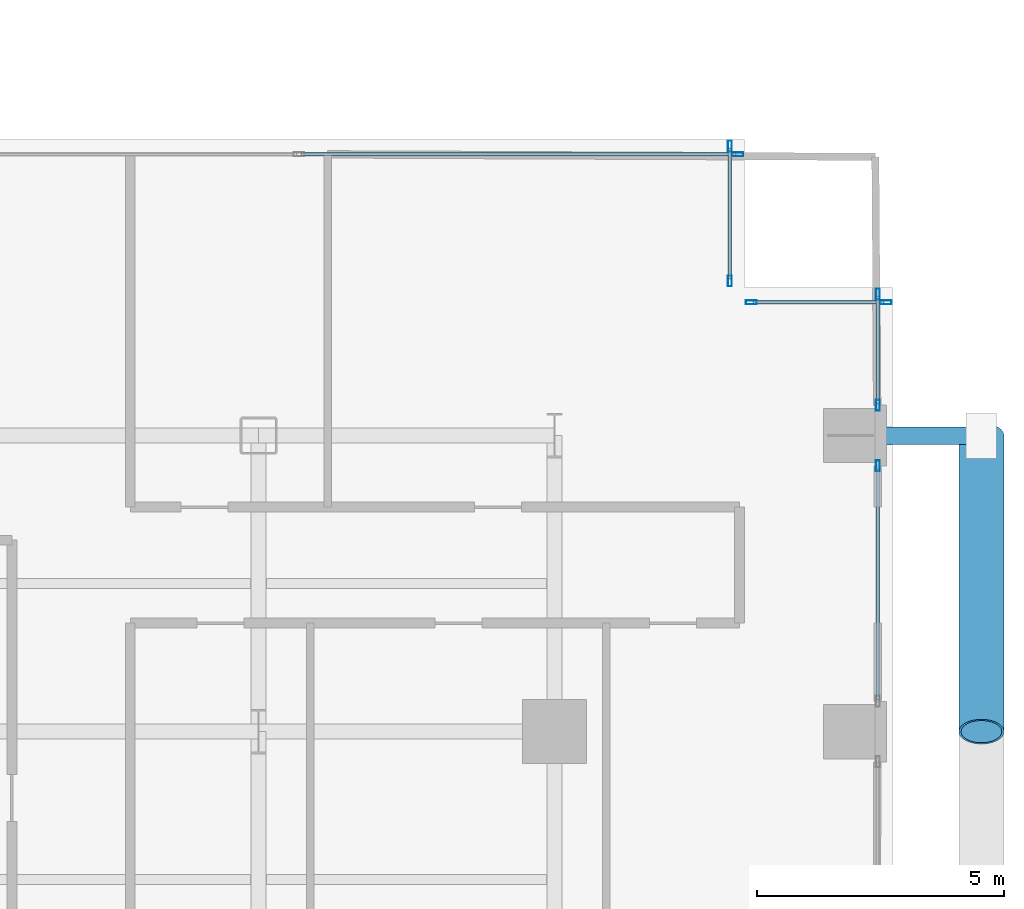
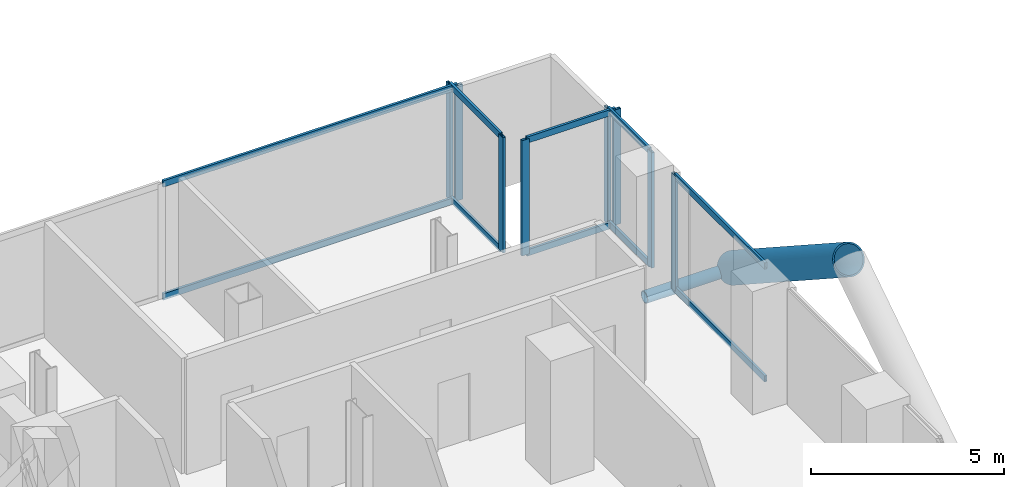
# One storey, part 12 of 27: 20 members, 5 elements without a shape of their own.
"""IFC4 building model written with IfcOpenShell, lengths in metres."""

import ifcopenshell
import ifcopenshell.guid

model = None  # the IFC model being written
_history = None  # IfcOwnerHistory: only IFC2X3 demands one
_inside = {}  # id of a spatial element -> (the spatial element, [elements in it])
_under = {}  # id of a project, library or spatial element -> (it, [spatial elements below it])
_declared = {}  # id of a project -> (the project, [libraries it declares])
_typed = {}  # id of a type object -> (the type object, [elements of that type])
_made_of = {}  # id of a material, layer set ... -> (it, [elements and type objects made of it])


def new_model(schema):
    """Start an empty IFC model of exactly this schema.

    Asked for "IFC4X3", IfcOpenShell would pick the latest addendum, in which some entities
    have other attributes; the version numbers below select the first issue.
    IFC2X3 requires an IfcOwnerHistory on every rooted entity: one is made here for all.
    """
    global model, _history
    if schema == "IFC4X3":
        model = ifcopenshell.file(schema_version=(4, 3, 0, 0))
    else:
        model = ifcopenshell.file(schema=schema)
    _inside.clear()
    _under.clear()
    _declared.clear()
    _typed.clear()
    _made_of.clear()
    _history = None
    if model.schema == "IFC2X3":
        org = make("IfcOrganization", Name="unknown")
        user = make(
            "IfcPersonAndOrganization",
            ThePerson=make("IfcPerson", FamilyName="unknown"),
            TheOrganization=org,
        )
        app = make(
            "IfcApplication",
            ApplicationDeveloper=org,
            Version="unknown",
            ApplicationFullName="unknown",
            ApplicationIdentifier="unknown",
        )
        _history = make(
            "IfcOwnerHistory",
            OwningUser=user,
            OwningApplication=app,
            ChangeAction="ADDED",
            CreationDate=0,
        )
    return model


def make(cls, **values):
    """One entity of the class cls with the attributes given. An attribute that is None is left unset."""
    return model.create_entity(
        cls, **{name: value for name, value in values.items() if value is not None}
    )


def rooted(cls, **values):
    """An entity with a GlobalId (a new one), such as an element, a storey or a relation."""
    return make(cls, GlobalId=ifcopenshell.guid.new(), OwnerHistory=_history, **values)


def si_unit(unit_type, name, prefix=None):
    """IfcSIUnit, for example si_unit("LENGTHUNIT", "METRE", prefix="MILLI")."""
    return make("IfcSIUnit", UnitType=unit_type, Prefix=prefix, Name=name)


def assignment(units):
    """IfcUnitAssignment: the units of a project."""
    return None if units is None else make("IfcUnitAssignment", Units=units)


def point(xyz):
    """IfcCartesianPoint."""
    return None if xyz is None else make("IfcCartesianPoint", Coordinates=xyz)


def direction(xyz):
    """IfcDirection."""
    return None if xyz is None else make("IfcDirection", DirectionRatios=xyz)


def frame(location, z_axis=None, x_axis=None):
    """IfcAxis2Placement3D, a coordinate frame: its origin and axes. An axis left out is left unset."""
    return make(
        "IfcAxis2Placement3D",
        Location=point(location),
        Axis=direction(z_axis),
        RefDirection=direction(x_axis),
    )


def frame_2d(location, x_axis=None):
    """IfcAxis2Placement2D, a coordinate frame in the plane: its origin and x axis."""
    return make(
        "IfcAxis2Placement2D", Location=point(location), RefDirection=direction(x_axis)
    )


def origin():
    """The frame at (0, 0, 0) with its axes left unset."""
    return frame((0.0, 0.0, 0.0))


def origin_2d():
    """The frame at (0, 0) in the plane with its x axis left unset."""
    return frame_2d((0.0, 0.0))


def place(relative_to, where):
    """IfcLocalPlacement: puts the frame where relative to a parent placement (None: the world)."""
    return make(
        "IfcLocalPlacement", PlacementRelTo=relative_to, RelativePlacement=where
    )


def context(
    kind, dimensions, precision=None, world=None, true_north=None, identifier=None
):
    """IfcGeometricRepresentationContext, for example the 3D "Model" context."""
    return make(
        "IfcGeometricRepresentationContext",
        ContextIdentifier=identifier,
        ContextType=kind,
        CoordinateSpaceDimension=dimensions,
        Precision=precision,
        WorldCoordinateSystem=world,
        TrueNorth=true_north,
    )


def subcontext(parent, identifier, kind, view, scale=None):
    """IfcGeometricRepresentationSubContext, for example "Body" below "Model"."""
    return make(
        "IfcGeometricRepresentationSubContext",
        ContextIdentifier=identifier,
        ContextType=kind,
        ParentContext=parent,
        TargetScale=scale,
        TargetView=view,
    )


def project(units=None, contexts=None):
    """IfcProject with its units and contexts."""
    return rooted(
        "IfcProject",
        Name="project",
        RepresentationContexts=contexts,
        UnitsInContext=assignment(units),
    )


def spatial(cls, under=None, at=None, **own):
    """A site, building, storey or space (cls), placed at a placement, below another one or the project."""
    s = rooted(cls, ObjectPlacement=at, **own)
    if under is not None:
        _under.setdefault(under.id(), (under, []))[1].append(s)
    return s


def profile(cls, at=None, kind="AREA", **sizes):
    """A parametric profile (cls). Its sizes go by their IFC names, for example OverallWidth=200.0."""
    return make(cls, ProfileType=kind, Position=at, **sizes)


def hollow_rectangle(**sizes):
    """IfcRectangleHollowProfileDef."""
    return profile("IfcRectangleHollowProfileDef", **sizes)


def hollow_circle(**sizes):
    """IfcCircleHollowProfileDef."""
    return profile("IfcCircleHollowProfileDef", **sizes)


def extrude(swept, where, along, depth):
    """IfcExtrudedAreaSolid: the profile swept, set in the frame where, extruded along a direction by depth."""
    return make(
        "IfcExtrudedAreaSolid",
        SweptArea=swept,
        Position=where,
        ExtrudedDirection=direction(along),
        Depth=depth,
    )


def shape(context_of_items, identifier, shape_type, items):
    """IfcShapeRepresentation: the items that make up one representation, for example the "Body"."""
    return make(
        "IfcShapeRepresentation",
        ContextOfItems=context_of_items,
        RepresentationIdentifier=identifier,
        RepresentationType=shape_type,
        Items=items,
    )


def material(Name=None, Category=None):
    """IfcMaterial."""
    return make("IfcMaterial", Name=Name, Category=Category)


def layer(
    of_material, thickness, ventilated=None, Name=None, Category=None, Priority=None
):
    """IfcMaterialLayer: one layer of a wall or slab, of a material (None: an air gap)."""
    return make(
        "IfcMaterialLayer",
        Material=of_material,
        LayerThickness=thickness,
        IsVentilated=ventilated,
        Name=Name,
        Category=Category,
        Priority=Priority,
    )


def layer_set(layers, Name=None):
    """IfcMaterialLayerSet."""
    return make("IfcMaterialLayerSet", MaterialLayers=layers, LayerSetName=Name)


def material_profile(
    of_material, cross_section, Name=None, Category=None, Priority=None
):
    """IfcMaterialProfile: a cross section and its material."""
    return make(
        "IfcMaterialProfile",
        Name=Name,
        Material=of_material,
        Profile=cross_section,
        Priority=Priority,
        Category=Category,
    )


def profile_set(profiles, Name=None, composite=None):
    """IfcMaterialProfileSet."""
    return make(
        "IfcMaterialProfileSet",
        Name=Name,
        MaterialProfiles=profiles,
        CompositeProfile=composite,
    )


def made_of(thing, what):
    """Note that an element or type object is made of a material, layer set ...; save() writes the relation."""
    if what is not None:
        _made_of.setdefault(what.id(), (what, []))[1].append(thing)
    return thing


def type_object(cls, material=None, **own):
    """A type object (cls), such as IfcWallType, which elements share."""
    return made_of(rooted(cls, **own), material)


def element(
    cls,
    number,
    at=None,
    inside=None,
    cuts=None,
    type_object=None,
    material=None,
    context=None,
    identifier="Body",
    shape_type=None,
    held_by="IfcProductDefinitionShape",
    body=None,
    shapes=None,
    **own,
):
    """One element of the class cls, such as IfcWall. Its Tag is "e" and its number.

    at: its placement. inside: the storey or other place that contains it. cuts: it is an
    opening in that element (IfcRelVoidsElement). A single representation is given by context,
    identifier, shape_type and body (its items); several are given by shapes. held_by: the class
    of the entity that holds the representations. save() writes the other relations.
    """
    e = rooted(cls, Tag="e%d" % number, ObjectPlacement=at, **own)
    if body is not None:
        shapes = [shape(context, identifier, shape_type, body)]
    if shapes is not None:
        e.Representation = make(held_by, Representations=shapes)
    if inside is not None:
        _inside.setdefault(inside.id(), (inside, []))[1].append(e)
    if cuts is not None:
        rooted(
            "IfcRelVoidsElement", RelatingBuildingElement=cuts, RelatedOpeningElement=e
        )
    if type_object is not None:
        _typed.setdefault(type_object.id(), (type_object, []))[1].append(e)
    return made_of(e, material)


def aggregate(whole, parts):
    """IfcRelAggregates: a whole, such as a stair, and the parts it consists of."""
    return rooted("IfcRelAggregates", RelatingObject=whole, RelatedObjects=parts)


def save(model, path):
    """Write the relations noted so far, then the file.

    IfcRelAggregates (storeys below a building ...), IfcRelContainedInSpatialStructure (elements
    in a storey), IfcRelDefinesByType, IfcRelAssociatesMaterial and IfcRelDeclares: one each for
    every whole, place, type object, material and project.
    """
    for whole, parts in _under.values():
        aggregate(whole, parts)
    for where, things in _inside.values():
        rooted(
            "IfcRelContainedInSpatialStructure",
            RelatedElements=things,
            RelatingStructure=where,
        )
    for kind, things in _typed.values():
        rooted("IfcRelDefinesByType", RelatedObjects=things, RelatingType=kind)
    for what, things in _made_of.values():
        rooted("IfcRelAssociatesMaterial", RelatedObjects=things, RelatingMaterial=what)
    for by, libraries in _declared.values():
        rooted("IfcRelDeclares", RelatingContext=by, RelatedDefinitions=libraries)
    model.write(path)


model = new_model("IFC4")

# Units and contexts
model_context = context("Model", 3, precision=1e-05, world=origin(), true_north=direction((0.0, 1.0)))
body_context = subcontext(model_context, "Body", "Model", "MODEL_VIEW")
ifc_project = project(units=[si_unit("LENGTHUNIT", "METRE"), si_unit("AREAUNIT", "SQUARE_METRE"), si_unit("VOLUMEUNIT", "CUBIC_METRE"), si_unit("PLANEANGLEUNIT", "RADIAN"), si_unit("MASSUNIT", "GRAM", prefix="KILO"), si_unit("THERMODYNAMICTEMPERATUREUNIT", "KELVIN"), si_unit("POWERUNIT", "WATT")], contexts=[model_context])

# Site, building, storey
site_placement = place(None, origin())
site = spatial("IfcSite", under=ifc_project, at=site_placement, CompositionType="ELEMENT")
building_placement = place(site_placement, origin())
building = spatial("IfcBuilding", under=site, at=building_placement, Name="Svarakhadi Broadcast Tower", CompositionType="ELEMENT")
storey_placement = place(building_placement, frame((0.0, 0.0, 55.800048828125)))
storey = spatial("IfcBuildingStorey", under=building, at=storey_placement, Name="L12", CompositionType="ELEMENT", Elevation=55.800048828125)

# Curtain wall, member
ifc_material_1 = material(Name="Anodised Bronze Aluminium AA 6063-T6", Category="aluminium")
ifc_layer = layer(ifc_material_1, 0.219970703125)
ifc_layer_set = layer_set([ifc_layer], Name="Anodised Bronze Aluminium AA 6063-T6")
curtain_wall_type = type_object("IfcCurtainWallType", Name="CW_Sys_02", PredefinedType="NOTDEFINED", material=ifc_layer_set)
curtain_wall_1_placement = place(storey_placement, origin())
curtain_wall_1 = element("IfcCurtainWall", 1, at=curtain_wall_1_placement, inside=storey, type_object=curtain_wall_type, Name="L12 Unitised Facade Curtain Wall 10", PredefinedType="NOTDEFINED")
ifc_material_profile_1 = material_profile(ifc_material_1, hollow_rectangle(XDim=0.0849609375, YDim=0.219970703125, WallThickness=0.006103515625, at=origin_2d()), Name="ALU MULLION 220x85x6")
ifc_profile_set_1 = profile_set([ifc_material_profile_1], Name="Anodised Bronze Aluminium AA 6063-T6")
member_type_1 = type_object("IfcMemberType", Name="CW_Sys_02_Mul", PredefinedType="MULLION", material=ifc_profile_set_1)
member_1_placement = place(storey_placement, frame((50.867431640625, 23.699951171875, 0.0), z_axis=(0.0, 0.0, 1.0), x_axis=(0.0, 1.0, 0.0)))
member_1 = element("IfcMember", 2, at=member_1_placement, type_object=member_type_1, Name="CW-02 mullion 4", PredefinedType="MULLION", context=body_context, shape_type="SweptSolid", body=[
    extrude(hollow_rectangle(XDim=0.0849609375, YDim=0.219970703125, WallThickness=0.006103515625, at=origin_2d()), origin(), (0.0, 0.0, 1.0), 3.64990234375),
])

# Curtain wall, members
curtain_wall_2_placement = place(storey_placement, origin())
curtain_wall_2 = element("IfcCurtainWall", 3, at=curtain_wall_2_placement, inside=storey, type_object=curtain_wall_type, Name="L12 Unitised Facade Curtain Wall 11", PredefinedType="NOTDEFINED")
member_2_placement = place(storey_placement, frame((50.699951171875, 23.867431640625, 0.0), z_axis=(0.0, 0.0, 1.0), x_axis=(1.0, 0.0, 0.0)))
member_2 = element("IfcMember", 4, at=member_2_placement, type_object=member_type_1, Name="CW-02 mullion 1", PredefinedType="MULLION", context=body_context, shape_type="SweptSolid", body=[
    extrude(hollow_rectangle(XDim=0.0849609375, YDim=0.219970703125, WallThickness=0.006103515625, at=origin_2d()), origin(), (0.0, 0.0, 1.0), 3.64990234375),
])
member_3_placement = place(storey_placement, frame((50.699951171875, 21.132568359375, 0.0), z_axis=(0.0, 0.0, 1.0), x_axis=(1.0, 0.0, 0.0)))
member_3 = element("IfcMember", 5, at=member_3_placement, type_object=member_type_1, Name="CW-02 mullion 2", PredefinedType="MULLION", context=body_context, shape_type="SweptSolid", body=[
    extrude(hollow_rectangle(XDim=0.0849609375, YDim=0.219970703125, WallThickness=0.006103515625, at=origin_2d()), origin(), (0.0, 0.0, 1.0), 3.64990234375),
])

curtain_wall_3_placement = place(storey_placement, origin())
curtain_wall_3 = element("IfcCurtainWall", 6, at=curtain_wall_3_placement, inside=storey, type_object=curtain_wall_type, Name="L12 Unitised Facade Curtain Wall 12", PredefinedType="NOTDEFINED")
member_4_placement = place(storey_placement, frame((51.132568359375, 20.699951171875, 0.0), z_axis=(0.0, 0.0, 1.0), x_axis=(0.0, 1.0, 0.0)))
member_4 = element("IfcMember", 7, at=member_4_placement, type_object=member_type_1, Name="CW-02 mullion 1", PredefinedType="MULLION", context=body_context, shape_type="SweptSolid", body=[
    extrude(hollow_rectangle(XDim=0.0849609375, YDim=0.219970703125, WallThickness=0.006103515625, at=origin_2d()), origin(), (0.0, 0.0, 1.0), 3.64990234375),
])
member_5_placement = place(storey_placement, frame((53.867431640625, 20.699951171875, 0.0), z_axis=(0.0, 0.0, 1.0), x_axis=(0.0, 1.0, 0.0)))
member_5 = element("IfcMember", 8, at=member_5_placement, type_object=member_type_1, Name="CW-02 mullion 2", PredefinedType="MULLION", context=body_context, shape_type="SweptSolid", body=[
    extrude(hollow_rectangle(XDim=0.0849609375, YDim=0.219970703125, WallThickness=0.006103515625, at=origin_2d()), origin(), (0.0, 0.0, 1.0), 3.64990234375),
])

curtain_wall_4_placement = place(storey_placement, origin())
curtain_wall_4 = element("IfcCurtainWall", 9, at=curtain_wall_4_placement, inside=storey, type_object=curtain_wall_type, Name="L12 Unitised Facade Curtain Wall 13 Bay 1", PredefinedType="NOTDEFINED")
member_6_placement = place(storey_placement, frame((53.699951171875, 20.867431640625, 0.0), z_axis=(0.0, 0.0, 1.0), x_axis=(1.0, 0.0, 0.0)))
member_6 = element("IfcMember", 10, at=member_6_placement, type_object=member_type_1, Name="CW-02 mullion 1", PredefinedType="MULLION", context=body_context, shape_type="SweptSolid", body=[
    extrude(hollow_rectangle(XDim=0.0849609375, YDim=0.219970703125, WallThickness=0.006103515625, at=origin_2d()), origin(), (0.0, 0.0, 1.0), 3.64990234375),
])
member_7_placement = place(storey_placement, frame((53.699951171875, 18.612548828125, 0.0), z_axis=(0.0, 0.0, 1.0), x_axis=(1.0, 0.0, 0.0)))
member_7 = element("IfcMember", 11, at=member_7_placement, type_object=member_type_1, Name="CW-02 mullion 2", PredefinedType="MULLION", context=body_context, shape_type="SweptSolid", body=[
    extrude(hollow_rectangle(XDim=0.0849609375, YDim=0.219970703125, WallThickness=0.006103515625, at=origin_2d()), origin(), (0.0, 0.0, 1.0), 3.64990234375),
])

# Curtain wall, member
curtain_wall_5_placement = place(storey_placement, origin())
curtain_wall_5 = element("IfcCurtainWall", 12, at=curtain_wall_5_placement, inside=storey, type_object=curtain_wall_type, Name="L12 Unitised Facade Curtain Wall 13 Bay 2", PredefinedType="NOTDEFINED")
member_8_placement = place(storey_placement, frame((53.699951171875, 17.387451171875, 0.0), z_axis=(0.0, 0.0, 1.0), x_axis=(1.0, 0.0, 0.0)))
member_8 = element("IfcMember", 13, at=member_8_placement, type_object=member_type_1, Name="CW-02 mullion 1", PredefinedType="MULLION", context=body_context, shape_type="SweptSolid", body=[
    extrude(hollow_rectangle(XDim=0.0849609375, YDim=0.219970703125, WallThickness=0.006103515625, at=origin_2d()), origin(), (0.0, 0.0, 1.0), 3.64990234375),
])

# Member
ifc_material_profile_2 = material_profile(ifc_material_1, hollow_rectangle(XDim=0.074951171875, YDim=0.199951171875, WallThickness=0.0048828125, at=origin_2d()), Name="ALU TRANSOM 200x75x5")
ifc_profile_set_2 = profile_set([ifc_material_profile_2], Name="Anodised Bronze Aluminium AA 6063-T6")
member_type_2 = type_object("IfcMemberType", Name="CW_Sys_02_Trn", PredefinedType="USERDEFINED", material=ifc_profile_set_2)
member_9_placement = place(storey_placement, frame((42.012451171875, 23.699951171875, 0.037353515625), z_axis=(1.0, 0.0, 0.0), x_axis=(0.0, 1.0, 0.0)))
member_9 = element("IfcMember", 14, at=member_9_placement, type_object=member_type_2, Name="CW-02 transom 3.1", ObjectType="TRANSOM", PredefinedType="USERDEFINED", context=body_context, shape_type="SweptSolid", body=[
    extrude(hollow_rectangle(XDim=0.074951171875, YDim=0.199951171875, WallThickness=0.0048828125, at=origin_2d()), origin(), (0.0, 0.0, 1.0), 8.8125),
])

member_10_placement = place(storey_placement, frame((42.012451171875, 23.699951171875, 3.612548828125), z_axis=(1.0, 0.0, 0.0), x_axis=(0.0, 1.0, 0.0)))
member_10 = element("IfcMember", 15, at=member_10_placement, type_object=member_type_2, Name="CW-02 transom 3.2", ObjectType="TRANSOM", PredefinedType="USERDEFINED", context=body_context, shape_type="SweptSolid", body=[
    extrude(hollow_rectangle(XDim=0.074951171875, YDim=0.199951171875, WallThickness=0.0048828125, at=origin_2d()), origin(), (0.0, 0.0, 1.0), 8.8125),
])

aggregate(curtain_wall_1, [member_1, member_9, member_10])

member_11_placement = place(storey_placement, frame((50.699951171875, 23.824951171875, 0.037353515625), z_axis=(0.0, -1.0, 0.0), x_axis=(1.0, 0.0, 0.0)))
member_11 = element("IfcMember", 16, at=member_11_placement, type_object=member_type_2, Name="CW-02 transom 1.1", ObjectType="TRANSOM", PredefinedType="USERDEFINED", context=body_context, shape_type="SweptSolid", body=[
    extrude(hollow_rectangle(XDim=0.074951171875, YDim=0.199951171875, WallThickness=0.0048828125, at=origin_2d()), origin(), (0.0, 0.0, 1.0), 2.64990234375),
])

member_12_placement = place(storey_placement, frame((50.699951171875, 23.824951171875, 3.612548828125), z_axis=(0.0, -1.0, 0.0), x_axis=(1.0, 0.0, 0.0)))
member_12 = element("IfcMember", 17, at=member_12_placement, type_object=member_type_2, Name="CW-02 transom 1.2", ObjectType="TRANSOM", PredefinedType="USERDEFINED", context=body_context, shape_type="SweptSolid", body=[
    extrude(hollow_rectangle(XDim=0.074951171875, YDim=0.199951171875, WallThickness=0.0048828125, at=origin_2d()), origin(), (0.0, 0.0, 1.0), 2.64990234375),
])

aggregate(curtain_wall_2, [member_2, member_3, member_11, member_12])

member_13_placement = place(storey_placement, frame((51.175048828125, 20.699951171875, 0.037353515625), z_axis=(1.0, 0.0, 0.0), x_axis=(0.0, 1.0, 0.0)))
member_13 = element("IfcMember", 18, at=member_13_placement, type_object=member_type_2, Name="CW-02 transom 1.1", ObjectType="TRANSOM", PredefinedType="USERDEFINED", context=body_context, shape_type="SweptSolid", body=[
    extrude(hollow_rectangle(XDim=0.074951171875, YDim=0.199951171875, WallThickness=0.0048828125, at=origin_2d()), origin(), (0.0, 0.0, 1.0), 2.64990234375),
])

member_14_placement = place(storey_placement, frame((51.175048828125, 20.699951171875, 3.612548828125), z_axis=(1.0, 0.0, 0.0), x_axis=(0.0, 1.0, 0.0)))
member_14 = element("IfcMember", 19, at=member_14_placement, type_object=member_type_2, Name="CW-02 transom 1.2", ObjectType="TRANSOM", PredefinedType="USERDEFINED", context=body_context, shape_type="SweptSolid", body=[
    extrude(hollow_rectangle(XDim=0.074951171875, YDim=0.199951171875, WallThickness=0.0048828125, at=origin_2d()), origin(), (0.0, 0.0, 1.0), 2.64990234375),
])

aggregate(curtain_wall_3, [member_4, member_5, member_13, member_14])

member_15_placement = place(storey_placement, frame((53.699951171875, 20.824951171875, 0.037353515625), z_axis=(0.0, -1.0, 0.0), x_axis=(1.0, 0.0, 0.0)))
member_15 = element("IfcMember", 20, at=member_15_placement, type_object=member_type_2, Name="CW-02 transom 1.1", ObjectType="TRANSOM", PredefinedType="USERDEFINED", context=body_context, shape_type="SweptSolid", body=[
    extrude(hollow_rectangle(XDim=0.074951171875, YDim=0.199951171875, WallThickness=0.0048828125, at=origin_2d()), origin(), (0.0, 0.0, 1.0), 2.169921875),
])

member_16_placement = place(storey_placement, frame((53.699951171875, 20.824951171875, 3.612548828125), z_axis=(0.0, -1.0, 0.0), x_axis=(1.0, 0.0, 0.0)))
member_16 = element("IfcMember", 21, at=member_16_placement, type_object=member_type_2, Name="CW-02 transom 1.2", ObjectType="TRANSOM", PredefinedType="USERDEFINED", context=body_context, shape_type="SweptSolid", body=[
    extrude(hollow_rectangle(XDim=0.074951171875, YDim=0.199951171875, WallThickness=0.0048828125, at=origin_2d()), origin(), (0.0, 0.0, 1.0), 2.169921875),
])

aggregate(curtain_wall_4, [member_6, member_7, member_15, member_16])

member_17_placement = place(storey_placement, frame((53.699951171875, 17.344970703125, 0.037353515625), z_axis=(0.0, -1.0, 0.0), x_axis=(1.0, 0.0, 0.0)))
member_17 = element("IfcMember", 22, at=member_17_placement, type_object=member_type_2, Name="CW-02 transom 1.1", ObjectType="TRANSOM", PredefinedType="USERDEFINED", context=body_context, shape_type="SweptSolid", body=[
    extrude(hollow_rectangle(XDim=0.074951171875, YDim=0.199951171875, WallThickness=0.0048828125, at=origin_2d()), origin(), (0.0, 0.0, 1.0), 4.68994140625),
])

member_18_placement = place(storey_placement, frame((53.699951171875, 17.344970703125, 3.612548828125), z_axis=(0.0, -1.0, 0.0), x_axis=(1.0, 0.0, 0.0)))
member_18 = element("IfcMember", 23, at=member_18_placement, type_object=member_type_2, Name="CW-02 transom 1.2", ObjectType="TRANSOM", PredefinedType="USERDEFINED", context=body_context, shape_type="SweptSolid", body=[
    extrude(hollow_rectangle(XDim=0.074951171875, YDim=0.199951171875, WallThickness=0.0048828125, at=origin_2d()), origin(), (0.0, 0.0, 1.0), 4.68994140625),
])

aggregate(curtain_wall_5, [member_8, member_17, member_18])

# Members
ifc_material_2 = material(Name="Steel S460ML (IS 2062 E450BR)", Category="steel")
ifc_material_profile_3 = material_profile(ifc_material_2, hollow_circle(Radius=0.45703125, WallThickness=0.044921875, at=origin_2d()), Name="CHS 914x45")
ifc_profile_set_3 = profile_set([ifc_material_profile_3], Name="Steel S460ML (IS 2062 E450BR)")
member_type_3 = type_object("IfcMemberType", Name="Exo_Brace_CHS914", PredefinedType="BRACE", material=ifc_profile_set_3)
member_19_placement = place(storey_placement, frame((55.800048828125, 18.0, -0.427734375), z_axis=(0.0, -0.838449851971, 0.544978757136), x_axis=(1.0, 0.0, 0.0)))
element("IfcMember", 24, at=member_19_placement, inside=storey, type_object=member_type_3, Name="L12 Exposed Bronze Exoskeleton Diagonal E11", PredefinedType="BRACE", context=body_context, shape_type="SweptSolid", body=[
    extrude(hollow_circle(Radius=0.45703125, WallThickness=0.044921875, at=origin_2d()), origin(), (0.0, 0.0, 1.0), 7.156005859375),
])
ifc_material_profile_4 = material_profile(ifc_material_2, hollow_circle(Radius=0.177734375, WallThickness=0.02001953125, at=origin_2d()), Name="CHS 355.6x20")
ifc_profile_set_4 = profile_set([ifc_material_profile_4], Name="Steel S460ML (IS 2062 E450BR)")
member_type_4 = type_object("IfcMemberType", Name="Exo_Radial_Strut_Z1", PredefinedType="STRUT", material=ifc_profile_set_4)
member_20_placement = place(storey_placement, frame((55.800048828125, 18.0, -0.427734375), z_axis=(-1.0, 0.0, 0.0), x_axis=(0.0, -1.0, 0.0)))
element("IfcMember", 25, at=member_20_placement, inside=storey, type_object=member_type_4, Name="L12 Exoskeleton Radial Tie Strut E10", PredefinedType="STRUT", context=body_context, shape_type="SweptSolid", body=[
    extrude(hollow_circle(Radius=0.177734375, WallThickness=0.02001953125, at=origin_2d()), origin(), (0.0, 0.0, 1.0), 2.650146484375),
])

save(model, "model.ifc")
